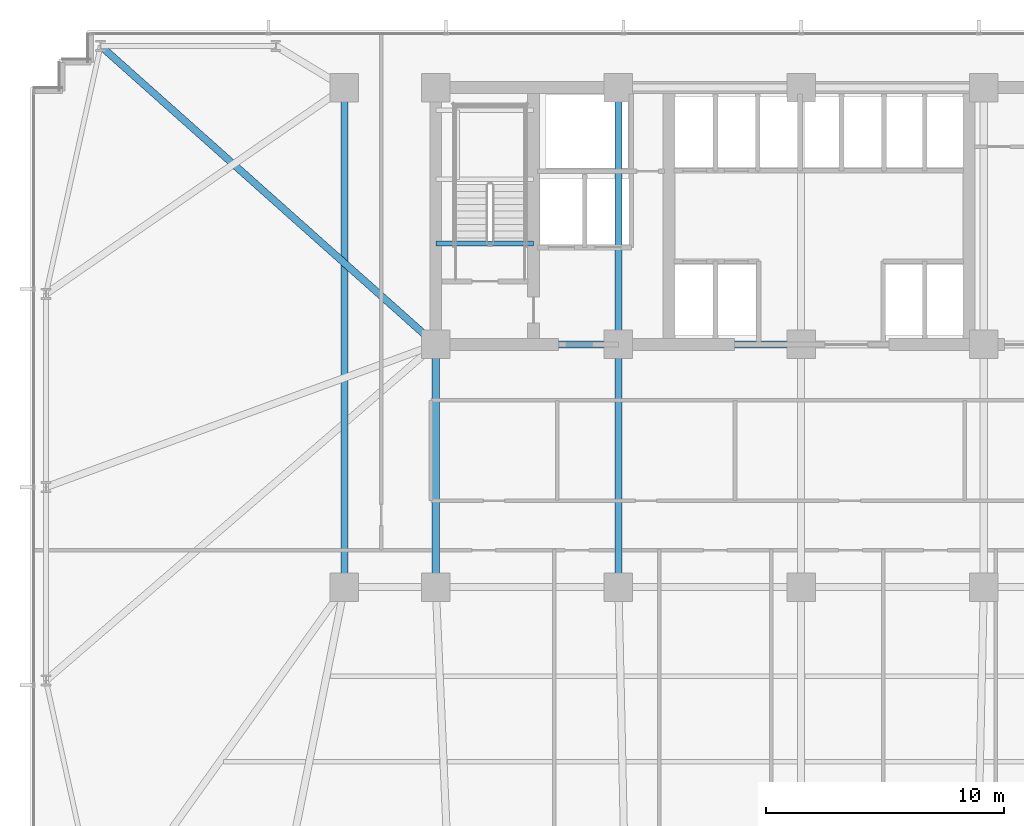
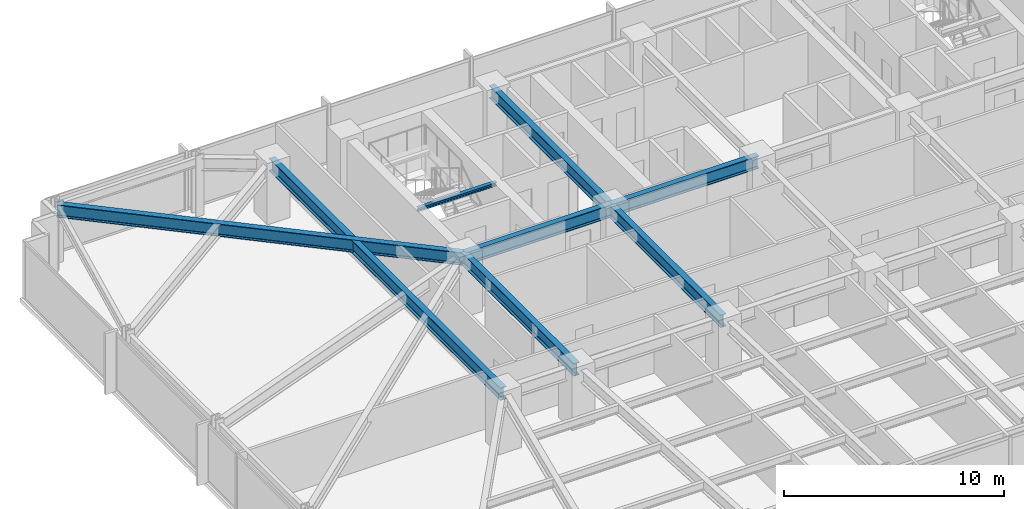
# One storey, part 10 of 32: 8 beams.
"""IFC4 building model written with IfcOpenShell, lengths in metres."""

from ifc_helpers import new_model, si_unit, direction, frame, origin, origin_2d, place, context, subcontext, project, spatial, i_section, extrude, material, material_profile, profile_set, type_object, element, save


model = new_model("IFC4")

# Units and contexts
model_context = context("Model", 3, precision=1e-05, world=origin(), true_north=direction((0.0, 1.0)))
body_context = subcontext(model_context, "Body", "Model", "MODEL_VIEW")
ifc_project = project(units=[si_unit("LENGTHUNIT", "METRE"), si_unit("AREAUNIT", "SQUARE_METRE"), si_unit("VOLUMEUNIT", "CUBIC_METRE"), si_unit("PLANEANGLEUNIT", "RADIAN"), si_unit("MASSUNIT", "GRAM", prefix="KILO")], contexts=[model_context])

# Site, building, storey
site_placement = place(None, origin())
site = spatial("IfcSite", under=ifc_project, at=site_placement, CompositionType="ELEMENT")
building_placement = place(site_placement, origin())
building = spatial("IfcBuilding", under=site, at=building_placement, Name="Yelkora Congress Tower", CompositionType="ELEMENT")
storey_placement = place(building_placement, frame((0.0, 0.0, 61.0)))
storey = spatial("IfcBuildingStorey", under=building, at=storey_placement, Name="L15", CompositionType="ELEMENT", Elevation=61.0)

# Beams
ifc_material = material(Name="Steel S355J2", Category="steel")
ifc_material_profile_1 = material_profile(ifc_material, i_section(OverallWidth=0.300048828125, OverallDepth=0.699951171875, WebThickness=0.01708984375, FlangeThickness=0.031982421875, FilletRadius=0.027099609375, at=origin_2d()), Name="HEB 700")
ifc_profile_set_1 = profile_set([ifc_material_profile_1], Name="Steel S355J2")
beam_type_1 = type_object("IfcBeamType", Name="BM-GIRD-HEB700", PredefinedType="BEAM", material=ifc_profile_set_1)
for number, where, z_axis, x_axis, name in (
    (1, (23.0400390625, 35.39990234375, 2.830078125), (1.0, 0.0, 0.0), (0.0, 1.0, 0.0), "L15 Core South Girder 1"),
    (2, (30.719970703125, 35.39990234375, 2.830078125), (1.0, 0.0, 0.0), (0.0, 1.0, 0.0), "L15 Core South Girder 2"),
):
    element("IfcBeam", number, at=place(storey_placement, frame(where, z_axis=z_axis, x_axis=x_axis)), inside=storey, type_object=beam_type_1, Name=name, PredefinedType="BEAM", context=body_context, shape_type="SweptSolid", body=[
        extrude(i_section(OverallWidth=0.300048828125, OverallDepth=0.699951171875, WebThickness=0.01708984375, FlangeThickness=0.031982421875, FilletRadius=0.027099609375, at=origin_2d()), origin(), (0.0, 0.0, 1.0), 7.679931640625),
    ])
for number, where, z_axis, x_axis, name in (
    (3, (23.0400390625, 25.199951171875, 2.830078125), (0.0, 1.0, 0.0), (-1.0, 0.0, 0.0), "L15 Core Tie Girder MC-D1"),
    (4, (30.719970703125, 25.199951171875, 2.830078125), (0.0, 1.0, 0.0), (-1.0, 0.0, 0.0), "L15 Core Tie Girder MC-D2"),
):
    element("IfcBeam", number, at=place(storey_placement, frame(where, z_axis=z_axis, x_axis=x_axis)), inside=storey, type_object=beam_type_1, Name=name, PredefinedType="BEAM", context=body_context, shape_type="SweptSolid", body=[
        extrude(i_section(OverallWidth=0.300048828125, OverallDepth=0.699951171875, WebThickness=0.01708984375, FlangeThickness=0.031982421875, FilletRadius=0.027099609375, at=origin_2d()), origin(), (0.0, 0.0, 1.0), 10.199951171875),
    ])
beam_1_placement = place(storey_placement, frame((30.719970703125, 35.39990234375, 2.830078125), z_axis=(0.0, 1.0, 0.0), x_axis=(-1.0, 0.0, 0.0)))
element("IfcBeam", 5, at=beam_1_placement, inside=storey, type_object=beam_type_1, Name="L15 Core Tie Girder MC-S2", PredefinedType="BEAM", context=body_context, shape_type="SweptSolid", body=[
    extrude(i_section(OverallWidth=0.300048828125, OverallDepth=0.699951171875, WebThickness=0.01708984375, FlangeThickness=0.031982421875, FilletRadius=0.027099609375, at=origin_2d()), origin(), (0.0, 0.0, 1.0), 10.800048828125),
])
beam_2_placement = place(storey_placement, frame((19.199951171875, 25.199951171875, 2.830078125), z_axis=(0.0, 1.0, 0.0), x_axis=(-1.0, 0.0, 0.0)))
element("IfcBeam", 6, at=beam_2_placement, inside=storey, type_object=beam_type_1, Name="L15 Neck Flank Girder MC-F1", PredefinedType="BEAM", context=body_context, shape_type="SweptSolid", body=[
    extrude(i_section(OverallWidth=0.300048828125, OverallDepth=0.699951171875, WebThickness=0.01708984375, FlangeThickness=0.031982421875, FilletRadius=0.027099609375, at=origin_2d()), origin(), (0.0, 0.0, 1.0), 21.0),
])
beam_3_placement = place(storey_placement, frame((8.949951171875, 47.949951171875, 2.830078125), z_axis=(0.746737189621, -0.665119214605, 0.0), x_axis=(0.665119214605, 0.746737189621, 0.0)))
element("IfcBeam", 7, at=beam_3_placement, inside=storey, type_object=beam_type_1, Name="L15 Primary Frame Girder N01", PredefinedType="BEAM", context=body_context, shape_type="SweptSolid", body=[
    extrude(i_section(OverallWidth=0.300048828125, OverallDepth=0.699951171875, WebThickness=0.01708984375, FlangeThickness=0.031982421875, FilletRadius=0.027099609375, at=origin_2d()), origin(), (0.0, 0.0, 1.0), 18.868896484375),
])
ifc_material_profile_2 = material_profile(ifc_material, i_section(OverallWidth=0.199951171875, OverallDepth=0.18994140625, WebThickness=0.006591796875, FlangeThickness=0.010009765625, FilletRadius=0.01806640625, at=origin_2d()), Name="HEA 200")
ifc_profile_set_2 = profile_set([ifc_material_profile_2], Name="Steel S355J2")
beam_type_2 = type_object("IfcBeamType", Name="BM-LAND-HEA200", PredefinedType="BEAM", material=ifc_profile_set_2)
beam_4_placement = place(storey_placement, frame((23.0400390625, 39.639892578125, 2.947509765625), z_axis=(1.0, 0.0, 0.0), x_axis=(0.0, 1.0, 0.0)))
element("IfcBeam", 8, at=beam_4_placement, inside=storey, type_object=beam_type_2, Name="ST-01 L15 Floor Arrival Stringer Header Beam", PredefinedType="BEAM", context=body_context, shape_type="SweptSolid", body=[
    extrude(i_section(OverallWidth=0.199951171875, OverallDepth=0.18994140625, WebThickness=0.006591796875, FlangeThickness=0.010009765625, FilletRadius=0.01806640625, at=origin_2d()), origin(), (0.0, 0.0, 1.0), 4.10986328125),
])

save(model, "model.ifc")
